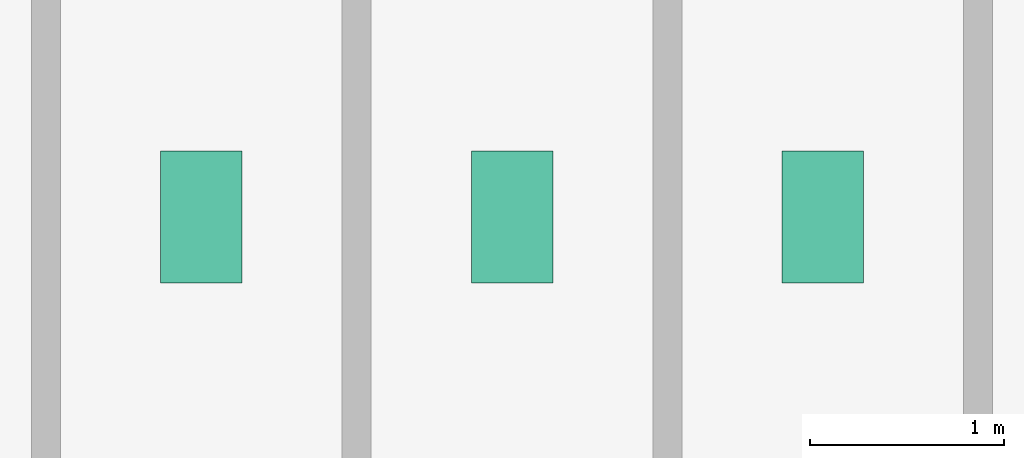
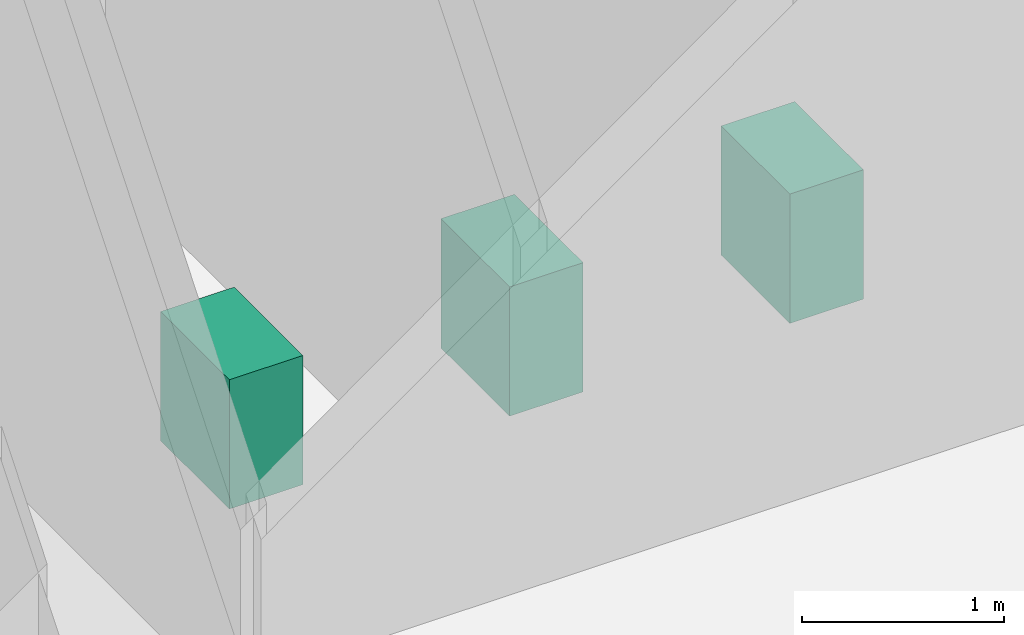
# One storey, part 25 of 25: 3 sanitary terminals.
"""IFC4 building model written with IfcOpenShell, lengths in metres."""

from ifc_helpers import new_model, si_unit, derived_unit, direction, frame, origin, origin_2d, place, context, subcontext, project, spatial, rectangle, extrude, source, transform, mapped, material, type_object, element, save


model = new_model("IFC4")

# Units and contexts
model_context = context("Model", 3, precision=1e-05, world=origin(), true_north=direction((0.0, 1.0)))
body_context = subcontext(model_context, "Body", "Model", "MODEL_VIEW")
ifc_project = project(units=[si_unit("LENGTHUNIT", "METRE"), si_unit("AREAUNIT", "SQUARE_METRE"), si_unit("VOLUMEUNIT", "CUBIC_METRE"), si_unit("PLANEANGLEUNIT", "RADIAN"), si_unit("MASSUNIT", "GRAM", prefix="KILO"), derived_unit("THERMALTRANSMITTANCEUNIT", [(si_unit("POWERUNIT", "WATT"), 1), (si_unit("LENGTHUNIT", "METRE"), -2), (si_unit("THERMODYNAMICTEMPERATUREUNIT", "KELVIN"), -1)])], contexts=[model_context])

# Site, building, storey
site_placement = place(None, origin())
site = spatial("IfcSite", under=ifc_project, at=site_placement, CompositionType="ELEMENT")
building_placement = place(site_placement, origin())
building = spatial("IfcBuilding", under=site, at=building_placement, Name="Skarnbrae Concourse Arena and Tower", CompositionType="ELEMENT")
storey_placement = place(building_placement, frame((0.0, 0.0, 147.89990234375)))
storey = spatial("IfcBuildingStorey", under=building, at=storey_placement, Name="L37", CompositionType="ELEMENT", Elevation=147.89990234375)

# Sanitary terminals
ifc_material = material(Name="Vitreous china sanitaryware", Category="other")
sanitary_terminal_type = type_object("IfcSanitaryTerminalType", Name="SAN-WC-VITREOUS", PredefinedType="TOILETPAN", material=ifc_material)
shared_shape = source(origin(), body_context, "Body", "SweptSolid", [
    extrude(rectangle(XDim=0.419921875, YDim=0.679931640625, at=origin_2d()), origin(), (0.0, 0.0, 1.0), 0.780029296875),
])
for number, where, z_axis, x_axis, name in (
    (1, (35.0, 11.39990234375, 0.0), (0.0, 0.0, 1.0), (1.0, 0.0, 0.0), "L37 Washroom WC fixture 1"),
    (2, (36.60009765625, 11.39990234375, 0.0), (0.0, 0.0, 1.0), (1.0, 0.0, 0.0), "L37 Washroom WC fixture 2"),
    (3, (38.199951171875, 11.39990234375, 0.0), (0.0, 0.0, 1.0), (1.0, 0.0, 0.0), "L37 Washroom WC fixture 3"),
):
    element("IfcSanitaryTerminal", number, at=place(storey_placement, frame(where, z_axis=z_axis, x_axis=x_axis)), inside=storey, type_object=sanitary_terminal_type, Name=name, PredefinedType="TOILETPAN", context=body_context, shape_type="MappedRepresentation", body=[
        mapped(shared_shape, transform((0.0, 0.0, 0.0))),
    ])

save(model, "model.ifc")
